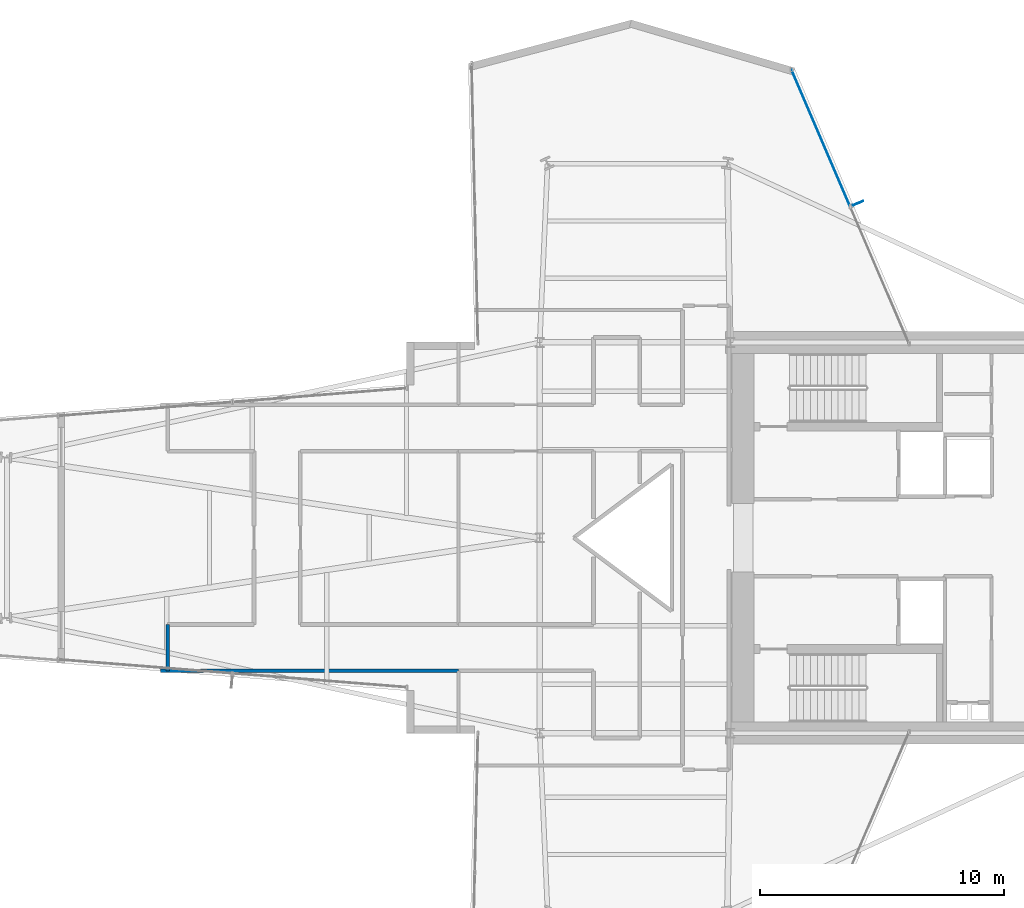
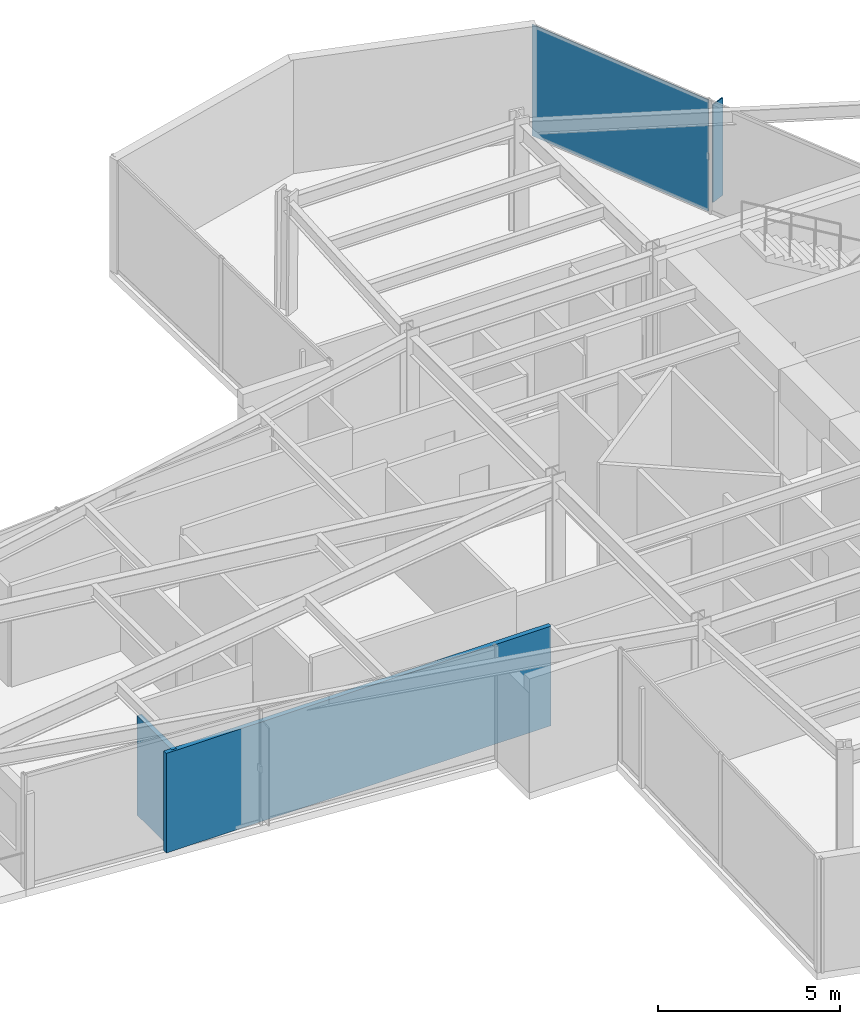
# One storey, part 22 of 27: 2 plates, 2 walls, 1 element without a shape of its own.
"""IFC4 building model written with IfcOpenShell, lengths in metres."""

from ifc_helpers import new_model, si_unit, direction, frame, frame_2d, origin, origin_2d, place, context, subcontext, project, spatial, rectangle, extrude, material, layer, layer_set, type_object, element, aggregate, save


model = new_model("IFC4")

# Units and contexts
model_context = context("Model", 3, precision=1e-05, world=origin(), true_north=direction((0.0, 1.0)))
body_context = subcontext(model_context, "Body", "Model", "MODEL_VIEW")
ifc_project = project(units=[si_unit("LENGTHUNIT", "METRE"), si_unit("AREAUNIT", "SQUARE_METRE"), si_unit("VOLUMEUNIT", "CUBIC_METRE"), si_unit("PLANEANGLEUNIT", "RADIAN"), si_unit("MASSUNIT", "GRAM", prefix="KILO")], contexts=[model_context])

# Site, building, storey
site_placement = place(None, origin())
site = spatial("IfcSite", under=ifc_project, at=site_placement, CompositionType="ELEMENT")
building_placement = place(site_placement, origin())
building = spatial("IfcBuilding", under=site, at=building_placement, Name="Veymaron Broadcast Tower", CompositionType="ELEMENT")
storey_placement = place(building_placement, frame((0.0, 0.0, 86.39990234375)))
storey = spatial("IfcBuildingStorey", under=building, at=storey_placement, Name="L19", CompositionType="ELEMENT", Elevation=86.39990234375)

# Curtain wall, plate
ifc_material_1 = material(Name="Anodised aluminium AA 6063-T6 and laminated low-E dark glass", Category="aluminium")
ifc_layer_1 = layer(ifc_material_1, 0.179931640625)
ifc_layer_set_1 = layer_set([ifc_layer_1], Name="Anodised aluminium AA 6063-T6 and laminated low-E dark glass")
curtain_wall_type = type_object("IfcCurtainWallType", Name="CW-SYS-02", PredefinedType="NOTDEFINED", material=ifc_layer_set_1)
curtain_wall_placement = place(storey_placement, origin())
curtain_wall = element("IfcCurtainWall", 1, at=curtain_wall_placement, inside=storey, type_object=curtain_wall_type, Name="L19 dark-glass curtain wall CW-L19-E6-1", PredefinedType="NOTDEFINED")
ifc_material_2 = material(Name="Double-silver solar-control dark glass IGU 32 mm", Category="glass")
ifc_layer_2 = layer(ifc_material_2, 0.031982421875)
ifc_layer_set_2 = layer_set([ifc_layer_2], Name="Double-silver solar-control dark glass IGU 32 mm")
plate_type_1 = type_object("IfcPlateType", Name="CW-PNL-02", PredefinedType="CURTAIN_PANEL", material=ifc_layer_set_2)
plate_1_placement = place(storey_placement, frame((42.711181640625, 40.371826171875, 0.0400390625), z_axis=(0.0, 0.0, 1.0), x_axis=(-0.394407075311, 0.918935829612, 0.0)))
plate_1 = element("IfcPlate", 2, at=plate_1_placement, type_object=plate_type_1, Name="CW-L19-E6-1 unitised curtain panel 1", PredefinedType="CURTAIN_PANEL", context=body_context, shape_type="SweptSolid", body=[
    extrude(rectangle(XDim=6.0537109375, YDim=0.031982421875, at=origin_2d()), origin(), (0.0, 0.0, 1.0), 3.72998046875),
])
aggregate(curtain_wall, [plate_1])

# Plate
ifc_material_3 = material(Name="Dark-anodised aluminium AA 6061-T6", Category="aluminium")
ifc_layer_3 = layer(ifc_material_3, 0.034912109375)
ifc_layer_set_3 = layer_set([ifc_layer_3], Name="Dark-anodised aluminium AA 6061-T6")
plate_type_2 = type_object("IfcPlateType", Name="FIN-CHEV-01", PredefinedType="USERDEFINED", material=ifc_layer_set_3)
plate_2_placement = place(storey_placement, frame((44.242919921875, 37.702880859375, 0.2666015625), z_axis=(0.0, 0.0, 1.0), x_axis=(0.918935829612, 0.394407075311, 0.0)))
element("IfcPlate", 3, at=plate_2_placement, inside=storey, type_object=plate_type_2, Name="CW-L19-E6-1 chevron fin 1", ObjectType="FIN", PredefinedType="USERDEFINED", context=body_context, shape_type="SweptSolid", body=[
    extrude(rectangle(XDim=0.449951171875, YDim=0.034912109375, at=origin_2d()), origin(), (0.0, 0.0, 1.0), 3.276611328125),
])

# Walls
ifc_material_4 = material(Name="Gypsum fireboard and steel stud framing", Category="steel")
ifc_layer_4 = layer(ifc_material_4, 0.14990234375)
ifc_layer_set_4 = layer_set([ifc_layer_4], Name="Gypsum fireboard and steel stud framing")
wall_type = type_object("IfcWallType", Name="WALL-FIRE-150", PredefinedType="PARTITIONING", material=ifc_layer_set_4)
wall_1_placement = place(storey_placement, frame((15.673583984375, 18.550048828125, 0.0), z_axis=(0.0, 0.0, 1.0), x_axis=(1.0, 0.0, 0.0)))
element("IfcWall", 4, at=wall_1_placement, inside=storey, type_object=wall_type, Name="L19 partition IW-L19-P10", PredefinedType="PARTITIONING", context=body_context, shape_type="SweptSolid", body=[
    extrude(rectangle(XDim=12.200439453125, YDim=0.14990234375, at=frame_2d((6.10009765625, 0.0))), origin(), (0.0, 0.0, 1.0), 3.338134765625),
])
wall_2_placement = place(storey_placement, frame((15.964111328125, 18.550048828125, 0.0), z_axis=(0.0, 0.0, 1.0), x_axis=(0.0, 1.0, 0.0)))
element("IfcWall", 5, at=wall_2_placement, inside=storey, type_object=wall_type, Name="L19 partition IW-L19-P15", PredefinedType="PARTITIONING", context=body_context, shape_type="SweptSolid", body=[
    extrude(rectangle(XDim=1.89990234375, YDim=0.14990234375, at=frame_2d((0.949951171875, 0.0))), origin(), (0.0, 0.0, 1.0), 3.338134765625),
])

save(model, "model.ifc")
